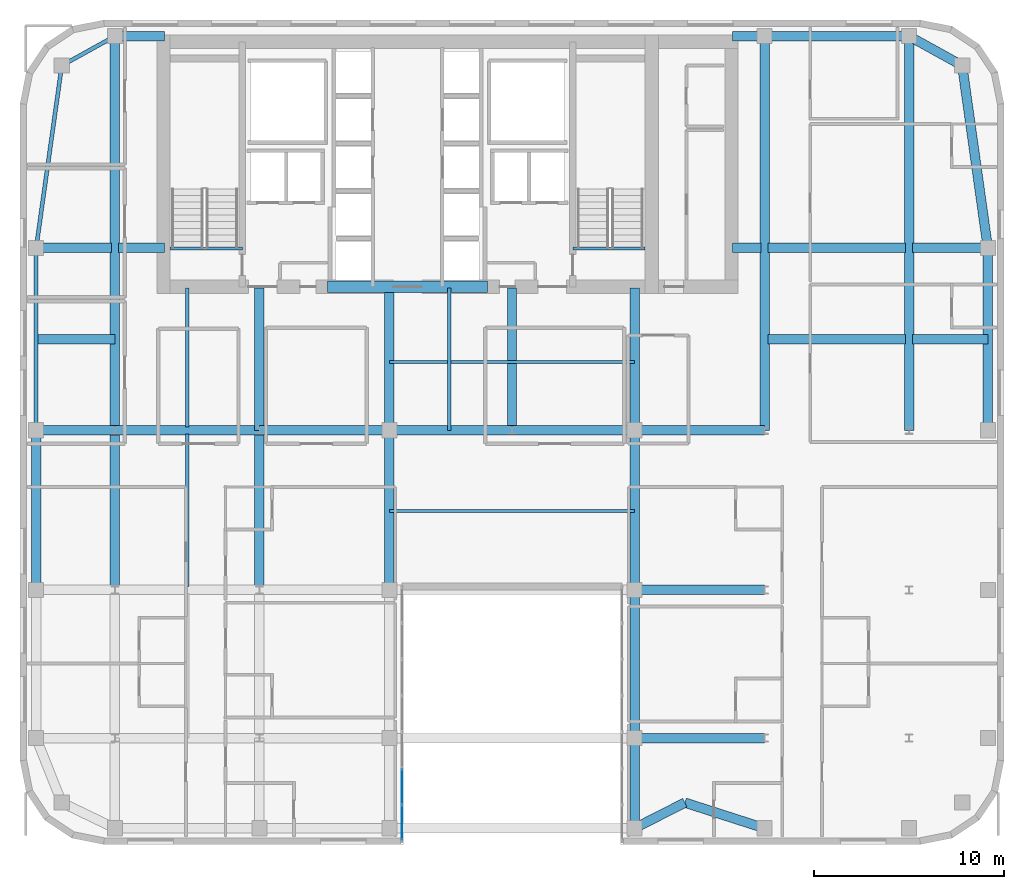
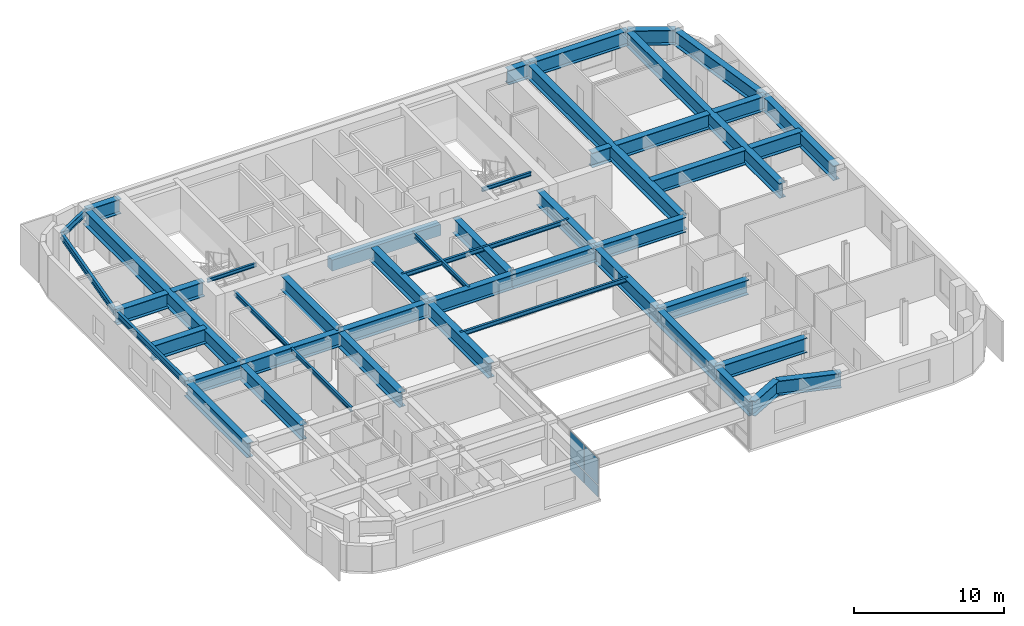
# One storey, part 5 of 13: 49 beams, 4 plates, 1 element without a shape of its own.
"""IFC4 building model written with IfcOpenShell, lengths in metres."""

from ifc_helpers import new_model, si_unit, direction, frame, origin, origin_2d, place, context, subcontext, project, spatial, rectangle, i_section, extrude, source, transform, mapped, material, layer, layer_set, material_profile, profile_set, type_object, type_shapes, element, aggregate, save


model = new_model("IFC4")

# Units and contexts
model_context = context("Model", 3, precision=1e-05, world=origin(), true_north=direction((0.0, 1.0)))
body_context = subcontext(model_context, "Body", "Model", "MODEL_VIEW")
ifc_project = project(units=[si_unit("LENGTHUNIT", "METRE"), si_unit("AREAUNIT", "SQUARE_METRE"), si_unit("VOLUMEUNIT", "CUBIC_METRE"), si_unit("PLANEANGLEUNIT", "RADIAN"), si_unit("MASSUNIT", "GRAM", prefix="KILO")], contexts=[model_context])

# Site, building, storey
site_placement = place(None, origin())
site = spatial("IfcSite", under=ifc_project, at=site_placement, CompositionType="ELEMENT")
building_placement = place(site_placement, origin())
building = spatial("IfcBuilding", under=site, at=building_placement, Name="Tolvann Quenvar Hotel", CompositionType="ELEMENT")
storey_placement = place(building_placement, frame((0.0, 0.0, 201.75)))
storey = spatial("IfcBuildingStorey", under=building, at=storey_placement, Name="L53", CompositionType="ELEMENT", Elevation=201.75)

# Beams
ifc_material_1 = material(Name="Concrete N50 (50 MPa)", Category="concrete")
ifc_material_profile_1 = material_profile(ifc_material_1, rectangle(XDim=0.60009765625, YDim=0.89990234375, at=origin_2d()), Name="RC600x900")
ifc_profile_set_1 = profile_set([ifc_material_profile_1], Name="Concrete N50 (50 MPa)")
beam_type_1 = type_object("IfcBeamType", Name="BM_LINT_RC600x900", PredefinedType="LINTEL", material=ifc_profile_set_1)
shared_shape_1 = source(origin(), body_context, "Body", "SweptSolid", [
    extrude(rectangle(XDim=0.60009765625, YDim=0.89990234375, at=origin_2d()), origin(), (0.0, 0.0, 1.0), 8.39990234375),
])
type_shapes(beam_type_1, [shared_shape_1])
beam_1_placement = place(storey_placement, frame((18.800048828125, 31.949951171875, 2.840087890625), z_axis=(1.0, 0.0, 0.0), x_axis=(0.0, 1.0, 0.0)))
element("IfcBeam", 1, at=beam_1_placement, inside=storey, type_object=beam_type_1, Name="Core Coupling Lintel Beam (L53)", PredefinedType="LINTEL", context=body_context, shape_type="MappedRepresentation", body=[
    mapped(shared_shape_1, transform((0.0, 0.0, 0.0), x_axis=(1.0, 0.0, 0.0), y_axis=(0.0, 1.0, 0.0), z_axis=(0.0, 0.0, 1.0), scale=1.0)),
])
ifc_material_2 = material(Name="Steel Grade 350", Category="steel")
ifc_material_profile_2 = material_profile(ifc_material_2, i_section(OverallWidth=0.5, OverallDepth=1.199951171875, WebThickness=0.01611328125, FlangeThickness=0.0400390625, at=origin_2d()), Name="1200WB455")
ifc_profile_set_2 = profile_set([ifc_material_profile_2], Name="Steel Grade 350")
beam_type_2 = type_object("IfcBeamType", Name="BM_TG_1200WB455", PredefinedType="USERDEFINED", material=ifc_profile_set_2)
shared_shape_2 = source(origin(), body_context, "Body", "SweptSolid", [
    extrude(i_section(OverallWidth=0.5, OverallDepth=1.199951171875, WebThickness=0.01611328125, FlangeThickness=0.0400390625, at=origin_2d()), origin(), (0.0, 0.0, 1.0), 7.5),
])
for number, where, z_axis, x_axis, name in (
    (2, (15.199951171875, 24.39990234375, 2.68994140625), (0.0, 1.0, 0.0), (-1.0, 0.0, 0.0), "BM-L53-CORE-D5"),
    (3, (22.050048828125, 24.39990234375, 2.68994140625), (0.0, 1.0, 0.0), (-1.0, 0.0, 0.0), "BM-L53-CORE-E5"),
    (4, (34.949951171875, 24.39990234375, 2.68994140625), (0.0, 1.0, 0.0), (-1.0, 0.0, 0.0), "BM-L53-CORE-F5"),
    (5, (28.5, 24.39990234375, 2.68994140625), (0.0, 1.0, 0.0), (-1.0, 0.0, 0.0), "BM-L53-CORE-M5"),
):
    element("IfcBeam", number, at=place(storey_placement, frame(where, z_axis=z_axis, x_axis=x_axis)), inside=storey, type_object=beam_type_2, Name=name, ObjectType="TRANSFER GIRDER", PredefinedType="USERDEFINED", context=body_context, shape_type="MappedRepresentation", body=[
        mapped(shared_shape_2, transform((0.0, 0.0, 0.0), x_axis=(1.0, 0.0, 0.0), y_axis=(0.0, 1.0, 0.0), z_axis=(0.0, 0.0, 1.0), scale=1.0)),
    ])
shared_shape_3 = source(origin(), body_context, "Body", "SweptSolid", [
    extrude(i_section(OverallWidth=0.5, OverallDepth=1.199951171875, WebThickness=0.01611328125, FlangeThickness=0.0400390625, at=origin_2d()), origin(), (0.0, 0.0, 1.0), 7.599853515625),
])
for number, where, z_axis, x_axis, name in (
    (6, (7.60009765625, 24.39990234375, 2.68994140625), (1.0, 0.0, 0.0), (0.0, 1.0, 0.0), "BM-L53-EW-5-C5-D5"),
    (7, (49.39990234375, 45.14990234375, 2.68994140625), (-1.0, 0.0, 0.0), (0.0, -1.0, 0.0), "BM-L53-FLK-E4"),
):
    element("IfcBeam", number, at=place(storey_placement, frame(where, z_axis=z_axis, x_axis=x_axis)), inside=storey, type_object=beam_type_2, Name=name, ObjectType="TRANSFER GIRDER", PredefinedType="USERDEFINED", context=body_context, shape_type="MappedRepresentation", body=[
        mapped(shared_shape_3, transform((0.0, 0.0, 0.0), x_axis=(1.0, 0.0, 0.0), y_axis=(0.0, 1.0, 0.0), z_axis=(0.0, 0.0, 1.0), scale=1.0)),
    ])
shared_shape_4 = source(origin(), body_context, "Body", "SweptSolid", [
    extrude(i_section(OverallWidth=0.5, OverallDepth=1.199951171875, WebThickness=0.01611328125, FlangeThickness=0.0400390625, at=origin_2d()), origin(), (0.0, 0.0, 1.0), 6.449951171875),
])
for number, where, z_axis, x_axis, name in (
    (8, (22.050048828125, 24.39990234375, 2.68994140625), (1.0, 0.0, 0.0), (0.0, 1.0, 0.0), "BM-L53-EW-5-E5-M5"),
    (9, (28.5, 24.39990234375, 2.68994140625), (1.0, 0.0, 0.0), (0.0, 1.0, 0.0), "BM-L53-EW-5-M5-F5"),
):
    element("IfcBeam", number, at=place(storey_placement, frame(where, z_axis=z_axis, x_axis=x_axis)), inside=storey, type_object=beam_type_2, Name=name, ObjectType="TRANSFER GIRDER", PredefinedType="USERDEFINED", context=body_context, shape_type="MappedRepresentation", body=[
        mapped(shared_shape_4, transform((0.0, 0.0, 0.0), x_axis=(1.0, 0.0, 0.0), y_axis=(0.0, 1.0, 0.0), z_axis=(0.0, 0.0, 1.0), scale=1.0)),
    ])
shared_shape_5 = source(origin(), body_context, "Body", "SweptSolid", [
    extrude(i_section(OverallWidth=0.5, OverallDepth=1.199951171875, WebThickness=0.01611328125, FlangeThickness=0.0400390625, at=origin_2d()), origin(), (0.0, 0.0, 1.0), 9.60009765625),
])
beam_2_placement = place(storey_placement, frame((53.550048828125, 24.39990234375, 2.68994140625), z_axis=(0.0, 1.0, 0.0), x_axis=(-1.0, 0.0, 0.0)))
element("IfcBeam", 10, at=beam_2_placement, inside=storey, type_object=beam_type_2, Name="BM-L53-FLK-E1", ObjectType="TRANSFER GIRDER", PredefinedType="USERDEFINED", context=body_context, shape_type="MappedRepresentation", body=[
    mapped(shared_shape_5, transform((0.0, 0.0, 0.0), x_axis=(1.0, 0.0, 0.0), y_axis=(0.0, 1.0, 0.0), z_axis=(0.0, 0.0, 1.0), scale=1.0)),
])
ifc_material_profile_3 = material_profile(ifc_material_2, i_section(OverallWidth=0.208984375, OverallDepth=0.528076171875, WebThickness=0.009521484375, FlangeThickness=0.01318359375, FilletRadius=0.013916015625, at=origin_2d()), Name="530UB82")
ifc_profile_set_3 = profile_set([ifc_material_profile_3], Name="Steel Grade 350")
beam_type_3 = type_object("IfcBeamType", Name="BM_SPAND_530UB82", PredefinedType="SPANDREL", material=ifc_profile_set_3)
shared_shape_6 = source(origin(), body_context, "Body", "SweptSolid", [
    extrude(i_section(OverallWidth=0.208984375, OverallDepth=0.528076171875, WebThickness=0.009521484375, FlangeThickness=0.01318359375, FilletRadius=0.013916015625, at=origin_2d()), origin(), (0.0, 0.0, 1.0), 9.60009765625),
])
beam_3_placement = place(storey_placement, frame((3.449951171875, 24.39990234375, 3.02587890625), z_axis=(0.0, 1.0, 0.0), x_axis=(-1.0, 0.0, 0.0)))
element("IfcBeam", 11, at=beam_3_placement, inside=storey, type_object=beam_type_3, Name="BM-L53-FLK-W1", PredefinedType="SPANDREL", context=body_context, shape_type="MappedRepresentation", body=[
    mapped(shared_shape_6, transform((0.0, 0.0, 0.0), x_axis=(1.0, 0.0, 0.0), y_axis=(0.0, 1.0, 0.0), z_axis=(0.0, 0.0, 1.0), scale=1.0)),
])
shared_shape_7 = source(origin(), body_context, "Body", "SweptSolid", [
    extrude(i_section(OverallWidth=0.5, OverallDepth=1.199951171875, WebThickness=0.01611328125, FlangeThickness=0.0400390625, at=origin_2d()), origin(), (0.0, 0.0, 1.0), 20.75),
])
for number, where, z_axis, x_axis, name in (
    (12, (7.60009765625, 24.39990234375, 2.68994140625), (0.0, 1.0, 0.0), (-1.0, 0.0, 0.0), "BM-L53-FLK-WC"),
    (13, (41.800048828125, 24.39990234375, 2.68994140625), (0.0, 1.0, 0.0), (-1.0, 0.0, 0.0), "BM-L53-FLK-EH"),
    (14, (49.39990234375, 24.39990234375, 2.68994140625), (0.0, 1.0, 0.0), (-1.0, 0.0, 0.0), "BM-L53-FLK-EI"),
):
    element("IfcBeam", number, at=place(storey_placement, frame(where, z_axis=z_axis, x_axis=x_axis)), inside=storey, type_object=beam_type_2, Name=name, ObjectType="TRANSFER GIRDER", PredefinedType="USERDEFINED", context=body_context, shape_type="MappedRepresentation", body=[
        mapped(shared_shape_7, transform((0.0, 0.0, 0.0), x_axis=(1.0, 0.0, 0.0), y_axis=(0.0, 1.0, 0.0), z_axis=(0.0, 0.0, 1.0), scale=1.0)),
    ])
shared_shape_8 = source(origin(), body_context, "Body", "SweptSolid", [
    extrude(i_section(OverallWidth=0.5, OverallDepth=1.199951171875, WebThickness=0.01611328125, FlangeThickness=0.0400390625, at=origin_2d()), origin(), (0.0, 0.0, 1.0), 2.419921875),
])
beam_4_placement = place(storey_placement, frame((7.780029296875, 34.0, 2.68994140625), z_axis=(1.0, 0.0, 0.0), x_axis=(0.0, 1.0, 0.0)))
element("IfcBeam", 15, at=beam_4_placement, inside=storey, type_object=beam_type_2, Name="BM-L53-CTW-MID2", ObjectType="TRANSFER GIRDER", PredefinedType="USERDEFINED", context=body_context, shape_type="MappedRepresentation", body=[
    mapped(shared_shape_8, transform((0.0, 0.0, 0.0), x_axis=(1.0, 0.0, 0.0), y_axis=(0.0, 1.0, 0.0), z_axis=(0.0, 0.0, 1.0), scale=1.0)),
])
shared_shape_9 = source(origin(), body_context, "Body", "SweptSolid", [
    extrude(i_section(OverallWidth=0.5, OverallDepth=1.199951171875, WebThickness=0.01611328125, FlangeThickness=0.0400390625, at=origin_2d()), origin(), (0.0, 0.0, 1.0), 2.599853515625),
])
beam_5_placement = place(storey_placement, frame((7.60009765625, 45.14990234375, 2.68994140625), z_axis=(1.0, 0.0, 0.0), x_axis=(0.0, 1.0, 0.0)))
element("IfcBeam", 16, at=beam_5_placement, inside=storey, type_object=beam_type_2, Name="BM-L53-CTW-CN", ObjectType="TRANSFER GIRDER", PredefinedType="USERDEFINED", context=body_context, shape_type="MappedRepresentation", body=[
    mapped(shared_shape_9, transform((0.0, 0.0, 0.0), x_axis=(1.0, 0.0, 0.0), y_axis=(0.0, 1.0, 0.0), z_axis=(0.0, 0.0, 1.0), scale=1.0)),
])
shared_shape_10 = source(origin(), body_context, "Body", "SweptSolid", [
    extrude(i_section(OverallWidth=0.5, OverallDepth=1.199951171875, WebThickness=0.01611328125, FlangeThickness=0.0400390625, at=origin_2d()), origin(), (0.0, 0.0, 1.0), 1.699951171875),
])
beam_6_placement = place(storey_placement, frame((40.10009765625, 45.14990234375, 2.68994140625), z_axis=(1.0, 0.0, 0.0), x_axis=(0.0, 1.0, 0.0)))
element("IfcBeam", 17, at=beam_6_placement, inside=storey, type_object=beam_type_2, Name="BM-L53-CTE-HN", ObjectType="TRANSFER GIRDER", PredefinedType="USERDEFINED", context=body_context, shape_type="MappedRepresentation", body=[
    mapped(shared_shape_10, transform((0.0, 0.0, 0.0), x_axis=(1.0, 0.0, 0.0), y_axis=(0.0, 1.0, 0.0), z_axis=(0.0, 0.0, 1.0), scale=1.0)),
])
shared_shape_11 = source(origin(), body_context, "Body", "SweptSolid", [
    extrude(i_section(OverallWidth=0.5, OverallDepth=1.199951171875, WebThickness=0.01611328125, FlangeThickness=0.0400390625, at=origin_2d()), origin(), (0.0, 0.0, 1.0), 1.52001953125),
])
beam_7_placement = place(storey_placement, frame((40.10009765625, 34.0, 2.68994140625), z_axis=(1.0, 0.0, 0.0), x_axis=(0.0, 1.0, 0.0)))
element("IfcBeam", 18, at=beam_7_placement, inside=storey, type_object=beam_type_2, Name="BM-L53-CTE-JD6A", ObjectType="TRANSFER GIRDER", PredefinedType="USERDEFINED", context=body_context, shape_type="MappedRepresentation", body=[
    mapped(shared_shape_11, transform((0.0, 0.0, 0.0), x_axis=(1.0, 0.0, 0.0), y_axis=(0.0, 1.0, 0.0), z_axis=(0.0, 0.0, 1.0), scale=1.0)),
])
shared_shape_12 = source(origin(), body_context, "Body", "SweptSolid", [
    extrude(i_section(OverallWidth=0.5, OverallDepth=1.199951171875, WebThickness=0.01611328125, FlangeThickness=0.0400390625, at=origin_2d()), origin(), (0.0, 0.0, 1.0), 7.239990234375),
])
for number, where, z_axis, x_axis, name in (
    (19, (41.97998046875, 34.0, 2.68994140625), (1.0, 0.0, 0.0), (0.0, 1.0, 0.0), "BM-L53-CTE-JD6B"),
    (20, (41.97998046875, 29.199951171875, 2.68994140625), (1.0, 0.0, 0.0), (0.0, 1.0, 0.0), "BM-L53-EW-HI29"),
):
    element("IfcBeam", number, at=place(storey_placement, frame(where, z_axis=z_axis, x_axis=x_axis)), inside=storey, type_object=beam_type_2, Name=name, ObjectType="TRANSFER GIRDER", PredefinedType="USERDEFINED", context=body_context, shape_type="MappedRepresentation", body=[
        mapped(shared_shape_12, transform((0.0, 0.0, 0.0), x_axis=(1.0, 0.0, 0.0), y_axis=(0.0, 1.0, 0.0), z_axis=(0.0, 0.0, 1.0), scale=1.0)),
    ])
ifc_material_profile_4 = material_profile(ifc_material_2, i_section(OverallWidth=0.166015625, OverallDepth=0.306884765625, WebThickness=0.006591796875, FlangeThickness=0.01171875, FilletRadius=0.011474609375, at=origin_2d()), Name="310UB46")
ifc_profile_set_4 = profile_set([ifc_material_profile_4], Name="Steel Grade 350")
beam_type_4 = type_object("IfcBeamType", Name="BM_JOIST_310UB46", PredefinedType="JOIST", material=ifc_profile_set_4)
shared_shape_13 = source(origin(), body_context, "Body", "SweptSolid", [
    extrude(i_section(OverallWidth=0.166015625, OverallDepth=0.306884765625, WebThickness=0.006591796875, FlangeThickness=0.01171875, FilletRadius=0.011474609375, at=origin_2d()), origin(), (0.0, 0.0, 1.0), 3.800048828125),
])
type_shapes(beam_type_4, [shared_shape_13])
for number, where, z_axis, x_axis, name in (
    (21, (10.5, 33.97998046875, 3.136474609375), (1.0, 0.0, 0.0), (0.0, 1.0, 0.0), "BM-HDR-STC1-L54"),
    (22, (31.699951171875, 33.97998046875, 3.136474609375), (1.0, 0.0, 0.0), (0.0, 1.0, 0.0), "BM-HDR-STC2-L54"),
):
    element("IfcBeam", number, at=place(storey_placement, frame(where, z_axis=z_axis, x_axis=x_axis)), inside=storey, type_object=beam_type_4, Name=name, PredefinedType="JOIST", context=body_context, shape_type="MappedRepresentation", body=[
        mapped(shared_shape_13, transform((0.0, 0.0, 0.0), x_axis=(1.0, 0.0, 0.0), y_axis=(0.0, 1.0, 0.0), z_axis=(0.0, 0.0, 1.0), scale=1.0)),
    ])
shared_shape_14 = source(origin(), body_context, "Body", "SweptSolid", [
    extrude(i_section(OverallWidth=0.5, OverallDepth=1.199951171875, WebThickness=0.01611328125, FlangeThickness=0.0400390625, at=origin_2d()), origin(), (0.0, 0.0, 1.0), 4.150146484375),
])
for number, where, z_axis, x_axis, name in (
    (23, (3.449951171875, 24.39990234375, 2.68994140625), (1.0, 0.0, 0.0), (0.0, 1.0, 0.0), "BM-L53-EW-5-B5-C5"),
    (24, (3.449951171875, 29.199951171875, 2.68994140625), (1.0, 0.0, 0.0), (0.0, 1.0, 0.0), "BM-L53-EW-BC29"),
):
    element("IfcBeam", number, at=place(storey_placement, frame(where, z_axis=z_axis, x_axis=x_axis)), inside=storey, type_object=beam_type_2, Name=name, ObjectType="TRANSFER GIRDER", PredefinedType="USERDEFINED", context=body_context, shape_type="MappedRepresentation", body=[
        mapped(shared_shape_14, transform((0.0, 0.0, 0.0), x_axis=(1.0, 0.0, 0.0), y_axis=(0.0, 1.0, 0.0), z_axis=(0.0, 0.0, 1.0), scale=1.0)),
    ])
shared_shape_15 = source(origin(), body_context, "Body", "SweptSolid", [
    extrude(i_section(OverallWidth=0.5, OverallDepth=1.199951171875, WebThickness=0.01611328125, FlangeThickness=0.0400390625, at=origin_2d()), origin(), (0.0, 0.0, 1.0), 7.800048828125),
])
beam_8_placement = place(storey_placement, frame((34.949951171875, 8.199951171875, 2.68994140625), z_axis=(0.0, 1.0, 0.0), x_axis=(-1.0, 0.0, 0.0)))
element("IfcBeam", 25, at=beam_8_placement, inside=storey, type_object=beam_type_2, Name="BM-L53-NS-F3-F4", ObjectType="TRANSFER GIRDER", PredefinedType="USERDEFINED", context=body_context, shape_type="MappedRepresentation", body=[
    mapped(shared_shape_15, transform((0.0, 0.0, 0.0), x_axis=(1.0, 0.0, 0.0), y_axis=(0.0, 1.0, 0.0), z_axis=(0.0, 0.0, 1.0), scale=1.0)),
])
shared_shape_16 = source(origin(), body_context, "Body", "SweptSolid", [
    extrude(i_section(OverallWidth=0.5, OverallDepth=1.199951171875, WebThickness=0.01611328125, FlangeThickness=0.0400390625, at=origin_2d()), origin(), (0.0, 0.0, 1.0), 6.85009765625),
])
for number, where, z_axis, x_axis, name in (
    (26, (34.949951171875, 8.199951171875, 2.68994140625), (1.0, 0.0, 0.0), (0.0, 1.0, 0.0), "Setback Transfer Girder L53-G3"),
    (27, (34.949951171875, 16.0, 2.68994140625), (1.0, 0.0, 0.0), (0.0, 1.0, 0.0), "Setback Transfer Girder L53-G4"),
    (28, (34.949951171875, 24.39990234375, 2.68994140625), (1.0, 0.0, 0.0), (0.0, 1.0, 0.0), "Setback Transfer Girder L53-G5"),
    (29, (15.199951171875, 24.39990234375, 2.68994140625), (1.0, 0.0, 0.0), (0.0, 1.0, 0.0), "BM-L53-EW-5-D5-E5"),
):
    element("IfcBeam", number, at=place(storey_placement, frame(where, z_axis=z_axis, x_axis=x_axis)), inside=storey, type_object=beam_type_2, Name=name, ObjectType="TRANSFER GIRDER", PredefinedType="USERDEFINED", context=body_context, shape_type="MappedRepresentation", body=[
        mapped(shared_shape_16, transform((0.0, 0.0, 0.0), x_axis=(1.0, 0.0, 0.0), y_axis=(0.0, 1.0, 0.0), z_axis=(0.0, 0.0, 1.0), scale=1.0)),
    ])
shared_shape_17 = source(origin(), body_context, "Body", "SweptSolid", [
    extrude(i_section(OverallWidth=0.5, OverallDepth=1.199951171875, WebThickness=0.01611328125, FlangeThickness=0.0400390625, at=origin_2d()), origin(), (0.0, 0.0, 1.0), 8.39990234375),
])
for number, where, z_axis, x_axis, name in (
    (30, (3.449951171875, 16.0, 2.68994140625), (0.0, 1.0, 0.0), (-1.0, 0.0, 0.0), "BM-L53-NS-B4-B5"),
    (31, (7.60009765625, 16.0, 2.68994140625), (0.0, 1.0, 0.0), (-1.0, 0.0, 0.0), "BM-L53-NS-C4-C5"),
    (32, (15.199951171875, 16.0, 2.68994140625), (0.0, 1.0, 0.0), (-1.0, 0.0, 0.0), "BM-L53-NS-D4-D5"),
    (33, (22.050048828125, 16.0, 2.68994140625), (0.0, 1.0, 0.0), (-1.0, 0.0, 0.0), "BM-L53-NS-E4-E5"),
    (34, (34.949951171875, 16.0, 2.68994140625), (0.0, 1.0, 0.0), (-1.0, 0.0, 0.0), "BM-L53-NS-F4-F5"),
):
    element("IfcBeam", number, at=place(storey_placement, frame(where, z_axis=z_axis, x_axis=x_axis)), inside=storey, type_object=beam_type_2, Name=name, ObjectType="TRANSFER GIRDER", PredefinedType="USERDEFINED", context=body_context, shape_type="MappedRepresentation", body=[
        mapped(shared_shape_17, transform((0.0, 0.0, 0.0), x_axis=(1.0, 0.0, 0.0), y_axis=(0.0, 1.0, 0.0), z_axis=(0.0, 0.0, 1.0), scale=1.0)),
    ])
shared_shape_18 = source(origin(), body_context, "Body", "SweptSolid", [
    extrude(i_section(OverallWidth=0.5, OverallDepth=1.199951171875, WebThickness=0.01611328125, FlangeThickness=0.0400390625, at=origin_2d()), origin(), (0.0, 0.0, 1.0), 4.75),
])
beam_9_placement = place(storey_placement, frame((34.949951171875, 3.449951171875, 2.68994140625), z_axis=(0.0, 1.0, 0.0), x_axis=(-1.0, 0.0, 0.0)))
element("IfcBeam", 35, at=beam_9_placement, inside=storey, type_object=beam_type_2, Name="BM-L53-NS-F2-F3", ObjectType="TRANSFER GIRDER", PredefinedType="USERDEFINED", context=body_context, shape_type="MappedRepresentation", body=[
    mapped(shared_shape_18, transform((0.0, 0.0, 0.0), x_axis=(1.0, 0.0, 0.0), y_axis=(0.0, 1.0, 0.0), z_axis=(0.0, 0.0, 1.0), scale=1.0)),
])
shared_shape_19 = source(origin(), body_context, "Body", "SweptSolid", [
    extrude(i_section(OverallWidth=0.208984375, OverallDepth=0.528076171875, WebThickness=0.009521484375, FlangeThickness=0.01318359375, FilletRadius=0.013916015625, at=origin_2d()), origin(), (0.0, 0.0, 1.0), 9.694580078125),
])
beam_10_placement = place(storey_placement, frame((3.449951171875, 34.0, 3.02587890625), z_axis=(0.139263320262, 0.990255385055, 0.0), x_axis=(-0.990255385055, 0.139263320262, 0.0)))
element("IfcBeam", 36, at=beam_10_placement, inside=storey, type_object=beam_type_3, Name="BM-L53-FLK-W2", PredefinedType="SPANDREL", context=body_context, shape_type="MappedRepresentation", body=[
    mapped(shared_shape_19, transform((0.0, 0.0, 0.0), x_axis=(1.0, 0.0, 0.0), y_axis=(0.0, 1.0, 0.0), z_axis=(0.0, 0.0, 1.0), scale=1.0)),
])
shared_shape_20 = source(origin(), body_context, "Body", "SweptSolid", [
    extrude(i_section(OverallWidth=0.208984375, OverallDepth=0.528076171875, WebThickness=0.009521484375, FlangeThickness=0.01318359375, FilletRadius=0.013916015625, at=origin_2d()), origin(), (0.0, 0.0, 1.0), 3.200439453125),
])
type_shapes(beam_type_3, [shared_shape_6, shared_shape_19, shared_shape_20])
beam_11_placement = place(storey_placement, frame((4.800048828125, 43.60009765625, 3.02587890625), z_axis=(0.87492264453, 0.48426270359, 0.0), x_axis=(-0.48426270359, 0.87492264453, 0.0)))
element("IfcBeam", 37, at=beam_11_placement, inside=storey, type_object=beam_type_3, Name="BM-L53-FLK-W3", PredefinedType="SPANDREL", context=body_context, shape_type="MappedRepresentation", body=[
    mapped(shared_shape_20, transform((0.0, 0.0, 0.0), x_axis=(1.0, 0.0, 0.0), y_axis=(0.0, 1.0, 0.0), z_axis=(0.0, 0.0, 1.0), scale=1.0)),
])
shared_shape_21 = source(origin(), body_context, "Body", "SweptSolid", [
    extrude(i_section(OverallWidth=0.5, OverallDepth=1.199951171875, WebThickness=0.01611328125, FlangeThickness=0.0400390625, at=origin_2d()), origin(), (0.0, 0.0, 1.0), 3.969970703125),
])
for number, where, z_axis, x_axis, name in (
    (38, (3.449951171875, 34.0, 2.68994140625), (1.0, 0.0, 0.0), (0.0, 1.0, 0.0), "BM-L53-CTW-MID1"),
    (39, (49.580078125, 34.0, 2.68994140625), (1.0, 0.0, 0.0), (0.0, 1.0, 0.0), "BM-L53-CTE-JD6C"),
    (40, (49.580078125, 29.199951171875, 2.68994140625), (1.0, 0.0, 0.0), (0.0, 1.0, 0.0), "BM-L53-EW-IJ29"),
):
    element("IfcBeam", number, at=place(storey_placement, frame(where, z_axis=z_axis, x_axis=x_axis)), inside=storey, type_object=beam_type_2, Name=name, ObjectType="TRANSFER GIRDER", PredefinedType="USERDEFINED", context=body_context, shape_type="MappedRepresentation", body=[
        mapped(shared_shape_21, transform((0.0, 0.0, 0.0), x_axis=(1.0, 0.0, 0.0), y_axis=(0.0, 1.0, 0.0), z_axis=(0.0, 0.0, 1.0), scale=1.0)),
    ])
shared_shape_22 = source(origin(), body_context, "Body", "SweptSolid", [
    extrude(i_section(OverallWidth=0.5, OverallDepth=1.199951171875, WebThickness=0.01611328125, FlangeThickness=0.0400390625, at=origin_2d()), origin(), (0.0, 0.0, 1.0), 9.694580078125),
])
beam_12_placement = place(storey_placement, frame((53.550048828125, 34.0, 2.68994140625), z_axis=(-0.139263320262, 0.990255385055, 0.0), x_axis=(-0.990255385055, -0.139263320262, 0.0)))
element("IfcBeam", 41, at=beam_12_placement, inside=storey, type_object=beam_type_2, Name="BM-L53-FLK-E2", ObjectType="TRANSFER GIRDER", PredefinedType="USERDEFINED", context=body_context, shape_type="MappedRepresentation", body=[
    mapped(shared_shape_22, transform((0.0, 0.0, 0.0), x_axis=(1.0, 0.0, 0.0), y_axis=(0.0, 1.0, 0.0), z_axis=(0.0, 0.0, 1.0), scale=1.0)),
])
shared_shape_23 = source(origin(), body_context, "Body", "SweptSolid", [
    extrude(i_section(OverallWidth=0.5, OverallDepth=1.199951171875, WebThickness=0.01611328125, FlangeThickness=0.0400390625, at=origin_2d()), origin(), (0.0, 0.0, 1.0), 3.200439453125),
])
beam_13_placement = place(storey_placement, frame((52.199951171875, 43.60009765625, 2.68994140625), z_axis=(-0.87492264453, 0.48426270359, 0.0), x_axis=(-0.48426270359, -0.87492264453, 0.0)))
element("IfcBeam", 42, at=beam_13_placement, inside=storey, type_object=beam_type_2, Name="BM-L53-FLK-E3", ObjectType="TRANSFER GIRDER", PredefinedType="USERDEFINED", context=body_context, shape_type="MappedRepresentation", body=[
    mapped(shared_shape_23, transform((0.0, 0.0, 0.0), x_axis=(1.0, 0.0, 0.0), y_axis=(0.0, 1.0, 0.0), z_axis=(0.0, 0.0, 1.0), scale=1.0)),
])
ifc_material_profile_5 = material_profile(ifc_material_2, i_section(OverallWidth=0.172119140625, OverallDepth=0.35888671875, WebThickness=0.008056640625, FlangeThickness=0.012939453125, FilletRadius=0.011474609375, at=origin_2d()), Name="360UB57")
ifc_profile_set_5 = profile_set([ifc_material_profile_5], Name="Steel Grade 350")
beam_type_5 = type_object("IfcBeamType", Name="BM_JOIST_360UB57", PredefinedType="JOIST", material=ifc_profile_set_5)
shared_shape_24 = source(origin(), body_context, "Body", "SweptSolid", [
    extrude(i_section(OverallWidth=0.172119140625, OverallDepth=0.35888671875, WebThickness=0.008056640625, FlangeThickness=0.012939453125, FilletRadius=0.011474609375, at=origin_2d()), origin(), (0.0, 0.0, 1.0), 12.89990234375),
])
for number, where, z_axis, x_axis, name in (
    (43, (22.050048828125, 20.14990234375, 3.110595703125), (1.0, 0.0, 0.0), (0.0, 1.0, 0.0), "BM-L53-SPINE-20"),
    (44, (22.050048828125, 28.0, 3.110595703125), (1.0, 0.0, 0.0), (0.0, 1.0, 0.0), "BM-L53-SPINE-28"),
):
    element("IfcBeam", number, at=place(storey_placement, frame(where, z_axis=z_axis, x_axis=x_axis)), inside=storey, type_object=beam_type_5, Name=name, PredefinedType="JOIST", context=body_context, shape_type="MappedRepresentation", body=[
        mapped(shared_shape_24, transform((0.0, 0.0, 0.0), x_axis=(1.0, 0.0, 0.0), y_axis=(0.0, 1.0, 0.0), z_axis=(0.0, 0.0, 1.0), scale=1.0)),
    ])
shared_shape_25 = source(origin(), body_context, "Body", "SweptSolid", [
    extrude(i_section(OverallWidth=0.172119140625, OverallDepth=0.35888671875, WebThickness=0.008056640625, FlangeThickness=0.012939453125, FilletRadius=0.011474609375, at=origin_2d()), origin(), (0.0, 0.0, 1.0), 8.030029296875),
])
beam_14_placement = place(storey_placement, frame((11.39990234375, 16.18505859375, 3.110595703125), z_axis=(0.0, 1.0, 0.0), x_axis=(-1.0, 0.0, 0.0)))
element("IfcBeam", 45, at=beam_14_placement, inside=storey, type_object=beam_type_5, Name="BJ-L53-114-160", PredefinedType="JOIST", context=body_context, shape_type="MappedRepresentation", body=[
    mapped(shared_shape_25, transform((0.0, 0.0, 0.0), x_axis=(1.0, 0.0, 0.0), y_axis=(0.0, 1.0, 0.0), z_axis=(0.0, 0.0, 1.0), scale=1.0)),
])
shared_shape_26 = source(origin(), body_context, "Body", "SweptSolid", [
    extrude(i_section(OverallWidth=0.172119140625, OverallDepth=0.35888671875, WebThickness=0.008056640625, FlangeThickness=0.012939453125, FilletRadius=0.011474609375, at=origin_2d()), origin(), (0.0, 0.0, 1.0), 7.31494140625),
])
beam_15_placement = place(storey_placement, frame((11.39990234375, 24.5849609375, 3.110595703125), z_axis=(0.0, 1.0, 0.0), x_axis=(-1.0, 0.0, 0.0)))
element("IfcBeam", 46, at=beam_15_placement, inside=storey, type_object=beam_type_5, Name="BJ-L53-114-244", PredefinedType="JOIST", context=body_context, shape_type="MappedRepresentation", body=[
    mapped(shared_shape_26, transform((0.0, 0.0, 0.0), x_axis=(1.0, 0.0, 0.0), y_axis=(0.0, 1.0, 0.0), z_axis=(0.0, 0.0, 1.0), scale=1.0)),
])
shared_shape_27 = source(origin(), body_context, "Body", "SweptSolid", [
    extrude(i_section(OverallWidth=0.172119140625, OverallDepth=0.35888671875, WebThickness=0.008056640625, FlangeThickness=0.012939453125, FilletRadius=0.011474609375, at=origin_2d()), origin(), (0.0, 0.0, 1.0), 7.5),
])
type_shapes(beam_type_5, [shared_shape_24, shared_shape_25, shared_shape_26, shared_shape_27])
beam_16_placement = place(storey_placement, frame((25.199951171875, 24.39990234375, 3.110595703125), z_axis=(0.0, 1.0, 0.0), x_axis=(-1.0, 0.0, 0.0)))
element("IfcBeam", 47, at=beam_16_placement, inside=storey, type_object=beam_type_5, Name="BJ-L53-252-244", PredefinedType="JOIST", context=body_context, shape_type="MappedRepresentation", body=[
    mapped(shared_shape_27, transform((0.0, 0.0, 0.0), x_axis=(1.0, 0.0, 0.0), y_axis=(0.0, 1.0, 0.0), z_axis=(0.0, 0.0, 1.0), scale=1.0)),
])
shared_shape_28 = source(origin(), body_context, "Body", "SweptSolid", [
    extrude(i_section(OverallWidth=0.5, OverallDepth=1.199951171875, WebThickness=0.01611328125, FlangeThickness=0.0400390625, at=origin_2d()), origin(), (0.0, 0.0, 1.0), 2.97412109375),
])
beam_17_placement = place(storey_placement, frame((34.949951171875, 3.449951171875, 2.68994140625), z_axis=(0.891036364695, 0.453931929688, 0.0), x_axis=(-0.453931929688, 0.891036364695, 0.0)))
element("IfcBeam", 48, at=beam_17_placement, inside=storey, type_object=beam_type_2, Name="TG-AUTO1-L53-G2-4", ObjectType="TRANSFER GIRDER", PredefinedType="USERDEFINED", context=body_context, shape_type="MappedRepresentation", body=[
    mapped(shared_shape_28, transform((0.0, 0.0, 0.0), x_axis=(1.0, 0.0, 0.0), y_axis=(0.0, 1.0, 0.0), z_axis=(0.0, 0.0, 1.0), scale=1.0)),
])
shared_shape_29 = source(origin(), body_context, "Body", "SweptSolid", [
    extrude(i_section(OverallWidth=0.5, OverallDepth=1.199951171875, WebThickness=0.01611328125, FlangeThickness=0.0400390625, at=origin_2d()), origin(), (0.0, 0.0, 1.0), 4.41162109375),
])
type_shapes(beam_type_2, [shared_shape_2, shared_shape_3, shared_shape_4, shared_shape_5, shared_shape_7, shared_shape_8, shared_shape_9, shared_shape_10, shared_shape_11, shared_shape_12, shared_shape_14, shared_shape_15, shared_shape_16, shared_shape_17, shared_shape_18, shared_shape_21, shared_shape_22, shared_shape_23, shared_shape_28, shared_shape_29])
beam_18_placement = place(storey_placement, frame((37.60009765625, 4.800048828125, 2.68994140625), z_axis=(0.95202107565, -0.306032468078, 0.0), x_axis=(0.306032468078, 0.95202107565, 0.0)))
element("IfcBeam", 49, at=beam_18_placement, inside=storey, type_object=beam_type_2, Name="TG-AUTO2-L53-G2-4", ObjectType="TRANSFER GIRDER", PredefinedType="USERDEFINED", context=body_context, shape_type="MappedRepresentation", body=[
    mapped(shared_shape_29, transform((0.0, 0.0, 0.0), x_axis=(1.0, 0.0, 0.0), y_axis=(0.0, 1.0, 0.0), z_axis=(0.0, 0.0, 1.0), scale=1.0)),
])

# Curtain wall, plates
ifc_material_3 = material(Name="Thermally broken anodised architectural aluminium 6063-T6 and laminated low-E glass", Category="aluminium")
ifc_layer_1 = layer(ifc_material_3, 0.179931640625)
ifc_layer_set_1 = layer_set([ifc_layer_1], Name="Thermally broken anodised architectural aluminium 6063-T6 and laminated low-E glass")
curtain_wall_type = type_object("IfcCurtainWallType", Name="CW_SYS_SLOT_03", PredefinedType="USERDEFINED", material=ifc_layer_set_1)
curtain_wall_placement = place(storey_placement, origin())
curtain_wall = element("IfcCurtainWall", 50, at=curtain_wall_placement, inside=storey, type_object=curtain_wall_type, Name="Curtain Wall CW-SLOT-03 (CWR-L53-E05)", ObjectType="UNITISED CURTAIN WALL", PredefinedType="USERDEFINED")
ifc_material_4 = material(Name="Low-iron laminated double glazing with solar-control coating", Category="glass")
ifc_layer_2 = layer(ifc_material_4, 0.028076171875)
ifc_layer_set_2 = layer_set([ifc_layer_2], Name="Low-iron laminated double glazing with solar-control coating")
plate_type = type_object("IfcPlateType", Name="CW_PAN_VISION_28", PredefinedType="CURTAIN_PANEL", material=ifc_layer_set_2)
shared_shape_30 = source(origin(), body_context, "Body", "SweptSolid", [
    extrude(rectangle(XDim=1.809326171875, YDim=0.028076171875, at=origin_2d()), origin(), (0.0, 0.0, 1.0), 0.9599609375),
])
plate_1_placement = place(storey_placement, frame((22.7099609375, 3.749755859375, 0.06005859375), z_axis=(0.0, 0.0, 1.0), x_axis=(0.0, 1.0, 0.0)))
plate_1 = element("IfcPlate", 51, at=plate_1_placement, type_object=plate_type, Name="CW-SLOT-03 panel 1.1", PredefinedType="CURTAIN_PANEL", context=body_context, shape_type="MappedRepresentation", body=[
    mapped(shared_shape_30, transform((0.0, 0.0, 0.0), x_axis=(1.0, 0.0, 0.0), y_axis=(0.0, 1.0, 0.0), z_axis=(0.0, 0.0, 1.0), scale=1.0)),
])
shared_shape_31 = source(origin(), body_context, "Body", "SweptSolid", [
    extrude(rectangle(XDim=1.84423828125, YDim=0.028076171875, at=origin_2d()), origin(), (0.0, 0.0, 1.0), 0.9599609375),
])
plate_2_placement = place(storey_placement, frame((22.7099609375, 5.646484375, 0.06005859375), z_axis=(0.0, 0.0, 1.0), x_axis=(0.0, 1.0, 0.0)))
plate_2 = element("IfcPlate", 52, at=plate_2_placement, type_object=plate_type, Name="CW-SLOT-03 panel 2.1", PredefinedType="CURTAIN_PANEL", context=body_context, shape_type="MappedRepresentation", body=[
    mapped(shared_shape_31, transform((0.0, 0.0, 0.0), x_axis=(1.0, 0.0, 0.0), y_axis=(0.0, 1.0, 0.0), z_axis=(0.0, 0.0, 1.0), scale=1.0)),
])
shared_shape_32 = source(origin(), body_context, "Body", "SweptSolid", [
    extrude(rectangle(XDim=1.809326171875, YDim=0.028076171875, at=origin_2d()), origin(), (0.0, 0.0, 1.0), 2.14990234375),
])
plate_3_placement = place(storey_placement, frame((22.7099609375, 3.749755859375, 1.080078125), z_axis=(0.0, 0.0, 1.0), x_axis=(0.0, 1.0, 0.0)))
plate_3 = element("IfcPlate", 53, at=plate_3_placement, type_object=plate_type, Name="CW-SLOT-03 panel 1.2", PredefinedType="CURTAIN_PANEL", context=body_context, shape_type="MappedRepresentation", body=[
    mapped(shared_shape_32, transform((0.0, 0.0, 0.0), x_axis=(1.0, 0.0, 0.0), y_axis=(0.0, 1.0, 0.0), z_axis=(0.0, 0.0, 1.0), scale=1.0)),
])
shared_shape_33 = source(origin(), body_context, "Body", "SweptSolid", [
    extrude(rectangle(XDim=1.84423828125, YDim=0.028076171875, at=origin_2d()), origin(), (0.0, 0.0, 1.0), 2.14990234375),
])
type_shapes(plate_type, [shared_shape_30, shared_shape_31, shared_shape_32, shared_shape_33])
plate_4_placement = place(storey_placement, frame((22.7099609375, 5.646484375, 1.080078125), z_axis=(0.0, 0.0, 1.0), x_axis=(0.0, 1.0, 0.0)))
plate_4 = element("IfcPlate", 54, at=plate_4_placement, type_object=plate_type, Name="CW-SLOT-03 panel 2.2", PredefinedType="CURTAIN_PANEL", context=body_context, shape_type="MappedRepresentation", body=[
    mapped(shared_shape_33, transform((0.0, 0.0, 0.0), x_axis=(1.0, 0.0, 0.0), y_axis=(0.0, 1.0, 0.0), z_axis=(0.0, 0.0, 1.0), scale=1.0)),
])
aggregate(curtain_wall, [plate_1, plate_3, plate_2, plate_4])

save(model, "model.ifc")
